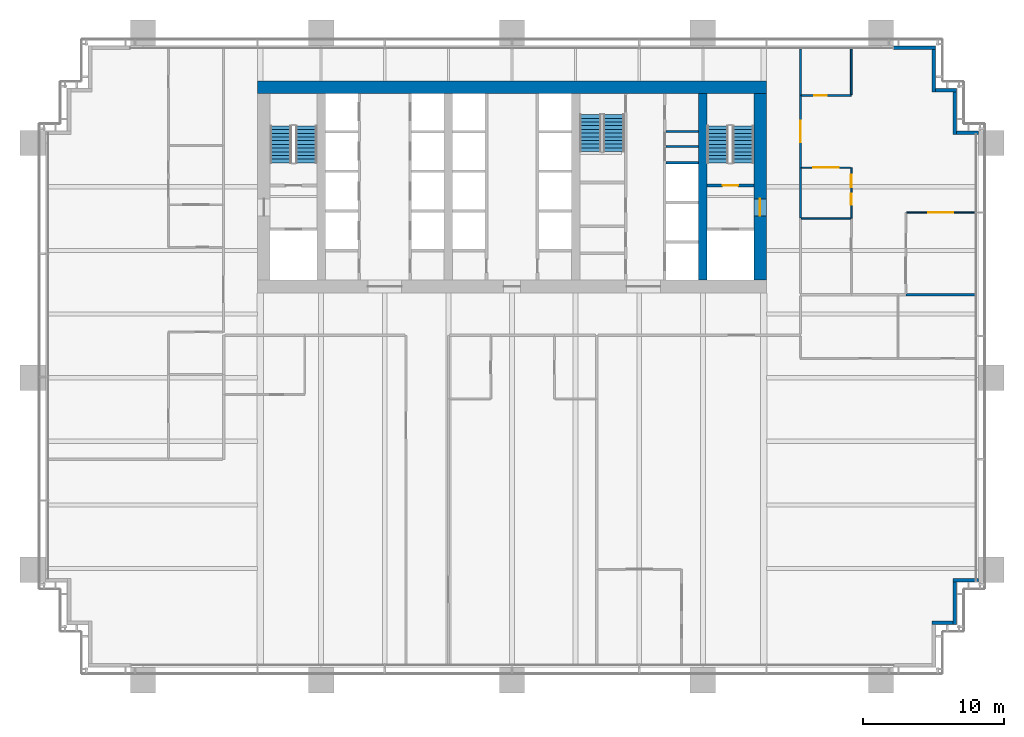
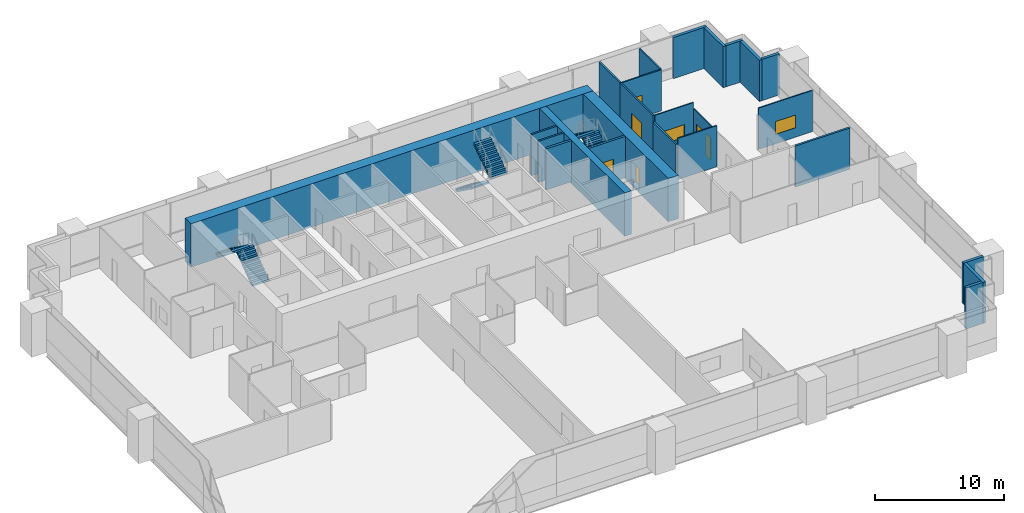
# One storey, part 14 of 19: 25 walls, 6 stair flights, 5 doors, 3 windows, 8 openings, 3 elements without a shape of their own.
"""IFC4 building model written with IfcOpenShell, lengths in metres."""

import ifcopenshell
import ifcopenshell.guid

model = None  # the IFC model being written
_history = None  # IfcOwnerHistory: only IFC2X3 demands one
_inside = {}  # id of a spatial element -> (the spatial element, [elements in it])
_under = {}  # id of a project, library or spatial element -> (it, [spatial elements below it])
_declared = {}  # id of a project -> (the project, [libraries it declares])
_typed = {}  # id of a type object -> (the type object, [elements of that type])
_made_of = {}  # id of a material, layer set ... -> (it, [elements and type objects made of it])


def new_model(schema):
    """Start an empty IFC model of exactly this schema.

    Asked for "IFC4X3", IfcOpenShell would pick the latest addendum, in which some entities
    have other attributes; the version numbers below select the first issue.
    IFC2X3 requires an IfcOwnerHistory on every rooted entity: one is made here for all.
    """
    global model, _history
    if schema == "IFC4X3":
        model = ifcopenshell.file(schema_version=(4, 3, 0, 0))
    else:
        model = ifcopenshell.file(schema=schema)
    _inside.clear()
    _under.clear()
    _declared.clear()
    _typed.clear()
    _made_of.clear()
    _history = None
    if model.schema == "IFC2X3":
        org = make("IfcOrganization", Name="unknown")
        user = make(
            "IfcPersonAndOrganization",
            ThePerson=make("IfcPerson", FamilyName="unknown"),
            TheOrganization=org,
        )
        app = make(
            "IfcApplication",
            ApplicationDeveloper=org,
            Version="unknown",
            ApplicationFullName="unknown",
            ApplicationIdentifier="unknown",
        )
        _history = make(
            "IfcOwnerHistory",
            OwningUser=user,
            OwningApplication=app,
            ChangeAction="ADDED",
            CreationDate=0,
        )
    return model


def make(cls, **values):
    """One entity of the class cls with the attributes given. An attribute that is None is left unset."""
    return model.create_entity(
        cls, **{name: value for name, value in values.items() if value is not None}
    )


def rooted(cls, **values):
    """An entity with a GlobalId (a new one), such as an element, a storey or a relation."""
    return make(cls, GlobalId=ifcopenshell.guid.new(), OwnerHistory=_history, **values)


def si_unit(unit_type, name, prefix=None):
    """IfcSIUnit, for example si_unit("LENGTHUNIT", "METRE", prefix="MILLI")."""
    return make("IfcSIUnit", UnitType=unit_type, Prefix=prefix, Name=name)


def assignment(units):
    """IfcUnitAssignment: the units of a project."""
    return None if units is None else make("IfcUnitAssignment", Units=units)


def point(xyz):
    """IfcCartesianPoint."""
    return None if xyz is None else make("IfcCartesianPoint", Coordinates=xyz)


def direction(xyz):
    """IfcDirection."""
    return None if xyz is None else make("IfcDirection", DirectionRatios=xyz)


def frame(location, z_axis=None, x_axis=None):
    """IfcAxis2Placement3D, a coordinate frame: its origin and axes. An axis left out is left unset."""
    return make(
        "IfcAxis2Placement3D",
        Location=point(location),
        Axis=direction(z_axis),
        RefDirection=direction(x_axis),
    )


def frame_2d(location, x_axis=None):
    """IfcAxis2Placement2D, a coordinate frame in the plane: its origin and x axis."""
    return make(
        "IfcAxis2Placement2D", Location=point(location), RefDirection=direction(x_axis)
    )


def origin():
    """The frame at (0, 0, 0) with its axes left unset."""
    return frame((0.0, 0.0, 0.0))


def place(relative_to, where):
    """IfcLocalPlacement: puts the frame where relative to a parent placement (None: the world)."""
    return make(
        "IfcLocalPlacement", PlacementRelTo=relative_to, RelativePlacement=where
    )


def context(
    kind, dimensions, precision=None, world=None, true_north=None, identifier=None
):
    """IfcGeometricRepresentationContext, for example the 3D "Model" context."""
    return make(
        "IfcGeometricRepresentationContext",
        ContextIdentifier=identifier,
        ContextType=kind,
        CoordinateSpaceDimension=dimensions,
        Precision=precision,
        WorldCoordinateSystem=world,
        TrueNorth=true_north,
    )


def subcontext(parent, identifier, kind, view, scale=None):
    """IfcGeometricRepresentationSubContext, for example "Body" below "Model"."""
    return make(
        "IfcGeometricRepresentationSubContext",
        ContextIdentifier=identifier,
        ContextType=kind,
        ParentContext=parent,
        TargetScale=scale,
        TargetView=view,
    )


def project(units=None, contexts=None):
    """IfcProject with its units and contexts."""
    return rooted(
        "IfcProject",
        Name="project",
        RepresentationContexts=contexts,
        UnitsInContext=assignment(units),
    )


def spatial(cls, under=None, at=None, **own):
    """A site, building, storey or space (cls), placed at a placement, below another one or the project."""
    s = rooted(cls, ObjectPlacement=at, **own)
    if under is not None:
        _under.setdefault(under.id(), (under, []))[1].append(s)
    return s


def polyline(points):
    """IfcPolyline through the points."""
    return make("IfcPolyline", Points=[point(p) for p in points])


def profile(cls, at=None, kind="AREA", **sizes):
    """A parametric profile (cls). Its sizes go by their IFC names, for example OverallWidth=200.0."""
    return make(cls, ProfileType=kind, Position=at, **sizes)


def rectangle(**sizes):
    """IfcRectangleProfileDef."""
    return profile("IfcRectangleProfileDef", **sizes)


def outline(outer, holes=None, kind="AREA"):
    """IfcArbitraryClosedProfileDef: a profile drawn as a closed curve; with holes, ...WithVoids."""
    if holes is None:
        return make("IfcArbitraryClosedProfileDef", ProfileType=kind, OuterCurve=outer)
    return make(
        "IfcArbitraryProfileDefWithVoids",
        ProfileType=kind,
        OuterCurve=outer,
        InnerCurves=holes,
    )


def extrude(swept, where, along, depth):
    """IfcExtrudedAreaSolid: the profile swept, set in the frame where, extruded along a direction by depth."""
    return make(
        "IfcExtrudedAreaSolid",
        SweptArea=swept,
        Position=where,
        ExtrudedDirection=direction(along),
        Depth=depth,
    )


def shape(context_of_items, identifier, shape_type, items):
    """IfcShapeRepresentation: the items that make up one representation, for example the "Body"."""
    return make(
        "IfcShapeRepresentation",
        ContextOfItems=context_of_items,
        RepresentationIdentifier=identifier,
        RepresentationType=shape_type,
        Items=items,
    )


def material(Name=None, Category=None):
    """IfcMaterial."""
    return make("IfcMaterial", Name=Name, Category=Category)


def layer(
    of_material, thickness, ventilated=None, Name=None, Category=None, Priority=None
):
    """IfcMaterialLayer: one layer of a wall or slab, of a material (None: an air gap)."""
    return make(
        "IfcMaterialLayer",
        Material=of_material,
        LayerThickness=thickness,
        IsVentilated=ventilated,
        Name=Name,
        Category=Category,
        Priority=Priority,
    )


def layer_set(layers, Name=None):
    """IfcMaterialLayerSet."""
    return make("IfcMaterialLayerSet", MaterialLayers=layers, LayerSetName=Name)


def made_of(thing, what):
    """Note that an element or type object is made of a material, layer set ...; save() writes the relation."""
    if what is not None:
        _made_of.setdefault(what.id(), (what, []))[1].append(thing)
    return thing


def type_object(cls, material=None, **own):
    """A type object (cls), such as IfcWallType, which elements share."""
    return made_of(rooted(cls, **own), material)


def element(
    cls,
    number,
    at=None,
    inside=None,
    cuts=None,
    type_object=None,
    material=None,
    context=None,
    identifier="Body",
    shape_type=None,
    held_by="IfcProductDefinitionShape",
    body=None,
    shapes=None,
    **own,
):
    """One element of the class cls, such as IfcWall. Its Tag is "e" and its number.

    at: its placement. inside: the storey or other place that contains it. cuts: it is an
    opening in that element (IfcRelVoidsElement). A single representation is given by context,
    identifier, shape_type and body (its items); several are given by shapes. held_by: the class
    of the entity that holds the representations. save() writes the other relations.
    """
    e = rooted(cls, Tag="e%d" % number, ObjectPlacement=at, **own)
    if body is not None:
        shapes = [shape(context, identifier, shape_type, body)]
    if shapes is not None:
        e.Representation = make(held_by, Representations=shapes)
    if inside is not None:
        _inside.setdefault(inside.id(), (inside, []))[1].append(e)
    if cuts is not None:
        rooted(
            "IfcRelVoidsElement", RelatingBuildingElement=cuts, RelatedOpeningElement=e
        )
    if type_object is not None:
        _typed.setdefault(type_object.id(), (type_object, []))[1].append(e)
    return made_of(e, material)


def fill(opening, filler):
    """IfcRelFillsElement: the door or window that sits in an opening."""
    return rooted(
        "IfcRelFillsElement",
        RelatingOpeningElement=opening,
        RelatedBuildingElement=filler,
    )


def aggregate(whole, parts):
    """IfcRelAggregates: a whole, such as a stair, and the parts it consists of."""
    return rooted("IfcRelAggregates", RelatingObject=whole, RelatedObjects=parts)


def save(model, path):
    """Write the relations noted so far, then the file.

    IfcRelAggregates (storeys below a building ...), IfcRelContainedInSpatialStructure (elements
    in a storey), IfcRelDefinesByType, IfcRelAssociatesMaterial and IfcRelDeclares: one each for
    every whole, place, type object, material and project.
    """
    for whole, parts in _under.values():
        aggregate(whole, parts)
    for where, things in _inside.values():
        rooted(
            "IfcRelContainedInSpatialStructure",
            RelatedElements=things,
            RelatingStructure=where,
        )
    for kind, things in _typed.values():
        rooted("IfcRelDefinesByType", RelatedObjects=things, RelatingType=kind)
    for what, things in _made_of.values():
        rooted("IfcRelAssociatesMaterial", RelatedObjects=things, RelatingMaterial=what)
    for by, libraries in _declared.values():
        rooted("IfcRelDeclares", RelatingContext=by, RelatedDefinitions=libraries)
    model.write(path)


model = new_model("IFC4")

# Units and contexts
model_context = context("Model", 3, precision=1e-05, world=origin(), true_north=direction((0.0, 1.0)))
body_context = subcontext(model_context, "Body", "Model", "MODEL_VIEW")
ifc_project = project(units=[si_unit("LENGTHUNIT", "METRE"), si_unit("AREAUNIT", "SQUARE_METRE"), si_unit("VOLUMEUNIT", "CUBIC_METRE"), si_unit("PLANEANGLEUNIT", "RADIAN"), si_unit("MASSUNIT", "GRAM", prefix="KILO")], contexts=[model_context])

# Site, building, storey
site_placement = place(None, origin())
site = spatial("IfcSite", under=ifc_project, at=site_placement, CompositionType="ELEMENT")
building_placement = place(site_placement, origin())
building = spatial("IfcBuilding", under=site, at=building_placement, Name="Rattan Terrace Tower", CompositionType="ELEMENT")
storey_placement = place(building_placement, frame((0.0, 0.0, 52.89990234375)))
storey = spatial("IfcBuildingStorey", under=building, at=storey_placement, Name="L11", CompositionType="ELEMENT", Elevation=52.89990234375)

# Walls
ifc_material_1 = material(Name="Gypsum board partition")
ifc_layer_1 = layer(ifc_material_1, 0.14990234375)
ifc_layer_set_1 = layer_set([ifc_layer_1], Name="Core partition 150")
wall_type_1 = type_object("IfcWallType", Name="Core partition 150", PredefinedType="PARTITIONING", material=ifc_layer_set_1)
for number, where, z_axis, x_axis, name in (
    (1, (10.89990234375, 2.85595703125, 0.0), (0.0, 0.0, 1.0), (1.0, 0.0, 0.0), "Riser room wall"),
    (2, (10.89990234375, 3.912109375, 0.0), (0.0, 0.0, 1.0), (1.0, 0.0, 0.0), "Riser room wall"),
):
    element("IfcWall", number, at=place(storey_placement, frame(where, z_axis=z_axis, x_axis=x_axis)), inside=storey, type_object=wall_type_1, Name=name, PredefinedType="PARTITIONING", context=body_context, shape_type="SweptSolid", body=[
        extrude(rectangle(XDim=2.300048828125, YDim=0.14990234375, at=frame_2d((1.14990234375, 0.0))), origin(), (0.0, 0.0, 1.0), 3.900146484375),
    ])

# Wall, opening, door
ifc_material_2 = material(Name="Gypsum board partition")
ifc_layer_2 = layer(ifc_material_2, 0.199951171875)
ifc_layer_set_2 = layer_set([ifc_layer_2], Name="Core partition 200")
wall_type_2 = type_object("IfcWallType", Name="Core partition 200", PredefinedType="PARTITIONING", material=ifc_layer_set_2)
wall_1_placement = place(storey_placement, frame((13.800048828125, 0.10009765625, 0.0), z_axis=(0.0, 0.0, 1.0), x_axis=(1.0, 0.0, 0.0)))
wall_1 = element("IfcWall", 3, at=wall_1_placement, inside=storey, type_object=wall_type_2, Name="Stair enclosure wall", PredefinedType="PARTITIONING", context=body_context, shape_type="SweptSolid", body=[
    extrude(rectangle(XDim=3.300048828125, YDim=0.199951171875, at=frame_2d((1.64990234375, 0.0))), origin(), (0.0, 0.0, 1.0), 3.900146484375),
])
opening_1_placement = place(wall_1_placement, frame((1.10009765625, 0.0, 0.0)))
opening_1 = element("IfcOpeningElement", 4, at=opening_1_placement, cuts=wall_1, Name="Opening L11-D004", PredefinedType="OPENING", context=body_context, shape_type="SweptSolid", body=[
    extrude(rectangle(XDim=1.10009765625, YDim=2.10009765625, at=frame_2d((0.550048828125, 1.050048828125))), frame((0.0, 0.110595703125, 0.0), z_axis=(0.0, -1.0, 0.0), x_axis=(1.0, 0.0, 0.0)), (0.0, 0.0, 1.0), 0.220947265625),
])
ifc_material_3 = material(Name="Hollow-metal fire door leaf")
door_type_1 = type_object("IfcDoorType", Name="Core stair door 1100", OperationType="NOTDEFINED", PredefinedType="DOOR", material=ifc_material_3)
door_1_placement = place(opening_1_placement, origin())
door_1 = element("IfcDoor", 5, at=door_1_placement, inside=storey, type_object=door_type_1, Name="Door L11-D004", OperationType="SINGLE_SWING_RIGHT", OverallHeight=2.10009765625, OverallWidth=1.10009765625, PredefinedType="DOOR", context=body_context, shape_type="SweptSolid", body=[
    extrude(rectangle(XDim=1.10009765625, YDim=2.10009765625, at=frame_2d((0.550048828125, 1.050048828125))), frame((0.0, 0.02490234375, 0.0), z_axis=(0.0, -1.0, 0.0), x_axis=(1.0, 0.0, 0.0)), (0.0, 0.0, 1.0), 0.050048828125),
])
fill(opening_1, door_1)

# Wall
ifc_material_4 = material(Name="Concrete C70/85", Category="concrete")
ifc_layer_3 = layer(ifc_material_4, 0.89990234375)
ifc_layer_set_3 = layer_set([ifc_layer_3], Name="Core ring wall 900 C70/85")
wall_type_3 = type_object("IfcWallType", Name="Core ring wall 900 C70/85", PredefinedType="SHEAR", material=ifc_layer_set_3)
wall_2_placement = place(storey_placement, frame((-18.0, 7.050048828125, -0.199951171875), z_axis=(0.0, 0.0, 1.0), x_axis=(1.0, 0.0, 0.0)))
element("IfcWall", 6, at=wall_2_placement, inside=storey, type_object=wall_type_3, Name="Rear core wall north", PredefinedType="SHEAR", context=body_context, shape_type="SweptSolid", body=[
    extrude(rectangle(XDim=36.0, YDim=0.89990234375, at=frame_2d((18.0, 0.0))), origin(), (0.0, 0.0, 1.0), 4.10009765625),
])

# Wall, opening, door
wall_3_placement = place(storey_placement, frame((17.550048828125, -6.60009765625, -0.199951171875), z_axis=(0.0, 0.0, 1.0), x_axis=(0.0, 1.0, 0.0)))
wall_3 = element("IfcWall", 7, at=wall_3_placement, inside=storey, type_object=wall_type_3, Name="Rear core wall east", PredefinedType="SHEAR", context=body_context, shape_type="SweptSolid", body=[
    extrude(rectangle(XDim=13.2001953125, YDim=0.89990234375, at=frame_2d((6.60009765625, 0.0))), origin(), (0.0, 0.0, 1.0), 4.10009765625),
])
opening_2_placement = place(wall_3_placement, frame((4.550048828125, 0.0, 0.199951171875)))
opening_2 = element("IfcOpeningElement", 8, at=opening_2_placement, cuts=wall_3, Name="Opening L11-D003", PredefinedType="OPENING", context=body_context, shape_type="SweptSolid", body=[
    extrude(rectangle(XDim=1.199951171875, YDim=2.10009765625, at=frame_2d((0.60009765625, 1.050048828125))), frame((0.0, 0.46044921875, 0.0), z_axis=(0.0, -1.0, 0.0), x_axis=(1.0, 0.0, 0.0)), (0.0, 0.0, 1.0), 0.9208984375),
])
ifc_material_5 = material(Name="Hollow-metal fire door leaf")
door_type_2 = type_object("IfcDoorType", Name="Core fire-fighting lobby door 1200", OperationType="NOTDEFINED", PredefinedType="DOOR", material=ifc_material_5)
door_2_placement = place(opening_2_placement, origin())
door_2 = element("IfcDoor", 9, at=door_2_placement, inside=storey, type_object=door_type_2, Name="Door L11-D003", OperationType="SINGLE_SWING_LEFT", OverallHeight=2.10009765625, OverallWidth=1.199951171875, PredefinedType="DOOR", context=body_context, shape_type="SweptSolid", body=[
    extrude(rectangle(XDim=1.199951171875, YDim=2.10009765625, at=frame_2d((0.60009765625, 1.050048828125))), frame((0.0, 0.02490234375, 0.0), z_axis=(0.0, -1.0, 0.0), x_axis=(1.0, 0.0, 0.0)), (0.0, 0.0, 1.0), 0.050048828125),
])
fill(opening_2, door_2)

# Walls
ifc_material_6 = material(Name="Concrete C70/85", Category="concrete")
ifc_layer_4 = layer(ifc_material_6, 0.60009765625)
ifc_layer_set_4 = layer_set([ifc_layer_4], Name="Core spine wall 600 C70/85")
wall_type_4 = type_object("IfcWallType", Name="Core spine wall 600 C70/85", PredefinedType="SHEAR", material=ifc_layer_set_4)
wall_4_placement = place(storey_placement, frame((13.5, -6.60009765625, -0.199951171875), z_axis=(0.0, 0.0, 1.0), x_axis=(0.0, 1.0, 0.0)))
element("IfcWall", 10, at=wall_4_placement, inside=storey, type_object=wall_type_4, Name="Core spine wall 4", PredefinedType="SHEAR", context=body_context, shape_type="SweptSolid", body=[
    extrude(rectangle(XDim=13.2001953125, YDim=0.60009765625, at=frame_2d((6.60009765625, 0.0))), origin(), (0.0, 0.0, 1.0), 4.10009765625),
])
ifc_material_7 = material(Name="Insulated aluminium-clad stud wall", Category="aluminium")
ifc_layer_5 = layer(ifc_material_7, 0.25)
ifc_layer_set_5 = layer_set([ifc_layer_5], Name="Facade Riser Wall 250")
wall_type_5 = type_object("IfcWallType", Name="Facade Riser Wall 250", PredefinedType="SOLIDWALL", material=ifc_layer_set_5)
wall_5_placement = place(storey_placement, frame((29.705078125, -30.830078125, 0.0), z_axis=(0.0, 0.0, 1.0), x_axis=(1.0, 0.0, 0.0)))
element("IfcWall", 11, at=wall_5_placement, inside=storey, type_object=wall_type_5, Name="Riser wall L11-3", PredefinedType="SOLIDWALL", context=body_context, shape_type="SweptSolid", body=[
    extrude(rectangle(XDim=1.5, YDim=0.25, at=frame_2d((0.75, 0.0))), origin(), (0.0, 0.0, 1.0), 3.900146484375),
])
wall_6_placement = place(storey_placement, frame((31.330078125, -30.955078125, 0.0), z_axis=(0.0, 0.0, 1.0), x_axis=(0.0, 1.0, 0.0)))
element("IfcWall", 12, at=wall_6_placement, inside=storey, type_object=wall_type_5, Name="Riser wall L11-4", PredefinedType="SOLIDWALL", context=body_context, shape_type="SweptSolid", body=[
    extrude(rectangle(XDim=3.0, YDim=0.25, at=frame_2d((1.5, 0.0))), origin(), (0.0, 0.0, 1.0), 3.900146484375),
])
wall_7_placement = place(storey_placement, frame((31.205078125, -27.830078125, 0.0), z_axis=(0.0, 0.0, 1.0), x_axis=(1.0, 0.0, 0.0)))
element("IfcWall", 13, at=wall_7_placement, inside=storey, type_object=wall_type_5, Name="Riser wall L11-5", PredefinedType="SOLIDWALL", context=body_context, shape_type="SweptSolid", body=[
    extrude(rectangle(XDim=1.7998046875, YDim=0.25, at=frame_2d((0.89990234375, 0.0))), origin(), (0.0, 0.0, 1.0), 3.900146484375),
])
wall_8_placement = place(storey_placement, frame((33.0048828125, 3.830078125, 0.0), z_axis=(0.0, 0.0, 1.0), x_axis=(-1.0, 0.0, 0.0)))
element("IfcWall", 14, at=wall_8_placement, inside=storey, type_object=wall_type_5, Name="Riser wall L11-6", PredefinedType="SOLIDWALL", context=body_context, shape_type="SweptSolid", body=[
    extrude(rectangle(XDim=1.5498046875, YDim=0.25, at=frame_2d((0.77490234375, 0.0))), origin(), (0.0, 0.0, 1.0), 3.900146484375),
])
wall_9_placement = place(storey_placement, frame((31.330078125, 3.705078125, 0.0), z_axis=(0.0, 0.0, 1.0), x_axis=(0.0, 1.0, 0.0)))
element("IfcWall", 15, at=wall_9_placement, inside=storey, type_object=wall_type_5, Name="Riser wall L11-7", PredefinedType="SOLIDWALL", context=body_context, shape_type="SweptSolid", body=[
    extrude(rectangle(XDim=3.0, YDim=0.25, at=frame_2d((1.5, 0.0))), origin(), (0.0, 0.0, 1.0), 3.900146484375),
])
wall_10_placement = place(storey_placement, frame((31.455078125, 6.830078125, 0.0), z_axis=(0.0, 0.0, 1.0), x_axis=(-1.0, 0.0, 0.0)))
element("IfcWall", 16, at=wall_10_placement, inside=storey, type_object=wall_type_5, Name="Riser wall L11-8", PredefinedType="SOLIDWALL", context=body_context, shape_type="SweptSolid", body=[
    extrude(rectangle(XDim=1.5, YDim=0.25, at=frame_2d((0.75, 0.0))), origin(), (0.0, 0.0, 1.0), 3.900146484375),
])
wall_11_placement = place(storey_placement, frame((29.830078125, 6.705078125, 0.0), z_axis=(0.0, 0.0, 1.0), x_axis=(0.0, 1.0, 0.0)))
element("IfcWall", 17, at=wall_11_placement, inside=storey, type_object=wall_type_5, Name="Riser wall L11-9", PredefinedType="SOLIDWALL", context=body_context, shape_type="SweptSolid", body=[
    extrude(rectangle(XDim=3.0, YDim=0.25, at=frame_2d((1.5, 0.0))), origin(), (0.0, 0.0, 1.0), 3.900146484375),
])
wall_12_placement = place(storey_placement, frame((29.955078125, 9.830078125, 0.0), z_axis=(0.0, 0.0, 1.0), x_axis=(-1.0, 0.0, 0.0)))
element("IfcWall", 18, at=wall_12_placement, inside=storey, type_object=wall_type_5, Name="Riser wall L11-10", PredefinedType="SOLIDWALL", context=body_context, shape_type="SweptSolid", body=[
    extrude(rectangle(XDim=2.955078125, YDim=0.25, at=frame_2d((1.4775390625, 0.0))), origin(), (0.0, 0.0, 1.0), 3.900146484375),
])
ifc_material_8 = material(Name="Double steel stud acoustic partition, gypsum board, mineral wool, fire rated", Category="steel")
ifc_layer_6 = layer(ifc_material_8, 0.179931640625)
ifc_layer_set_6 = layer_set([ifc_layer_6], Name="Floors Acoustic Party Wall 180")
wall_type_6 = type_object("IfcWallType", Name="Floors Acoustic Party Wall 180", PredefinedType="PARTITIONING", material=ifc_layer_set_6)
wall_13_placement = place(storey_placement, frame((32.739990234375, -7.635986328125, 0.0), z_axis=(0.0, 0.0, 1.0), x_axis=(-1.0, 0.0, 0.0)))
element("IfcWall", 19, at=wall_13_placement, inside=storey, type_object=wall_type_6, Name="pt-L11-043", PredefinedType="PARTITIONING", context=body_context, shape_type="SweptSolid", body=[
    extrude(rectangle(XDim=4.8798828125, YDim=0.179931640625, at=frame_2d((2.43994140625, 0.0))), origin(), (0.0, 0.0, 1.0), 3.900146484375),
])

# Wall, opening, window
ifc_material_9 = material(Name="Gypsum board partition on steel studs", Category="steel")
ifc_layer_7 = layer(ifc_material_9, 0.10009765625)
ifc_layer_set_7 = layer_set([ifc_layer_7], Name="Floors Partition 100")
wall_type_7 = type_object("IfcWallType", Name="Floors Partition 100", PredefinedType="PARTITIONING", material=ifc_layer_set_7)
wall_14_placement = place(storey_placement, frame((32.739990234375, -1.818115234375, 0.0), z_axis=(0.0, 0.0, 1.0), x_axis=(-1.0, 0.0, 0.0)))
wall_14 = element("IfcWall", 20, at=wall_14_placement, inside=storey, type_object=wall_type_7, Name="pt-L11-035", PredefinedType="PARTITIONING", context=body_context, shape_type="SweptSolid", body=[
    extrude(rectangle(XDim=4.830078125, YDim=0.10009765625, at=frame_2d((2.4150390625, 0.0))), origin(), (0.0, 0.0, 1.0), 3.900146484375),
])
opening_3_placement = place(wall_14_placement, frame((1.514892578125, 0.0, 0.89990234375)))
opening_3 = element("IfcOpeningElement", 21, at=opening_3_placement, cuts=wall_14, Name="Opening L11-W103", PredefinedType="OPENING", context=body_context, shape_type="SweptSolid", body=[
    extrude(rectangle(XDim=1.800048828125, YDim=1.199951171875, at=frame_2d((0.89990234375, 0.60009765625))), frame((0.0, 0.060546875, 0.0), z_axis=(0.0, -1.0, 0.0), x_axis=(1.0, 0.0, 0.0)), (0.0, 0.0, 1.0), 0.12109375),
])
ifc_material_10 = material(Name="Glass, clear, fixed in aluminium frame", Category="aluminium")
window_type_1 = type_object("IfcWindowType", Name="Interior Vision Window 1800x1200", PartitioningType="SINGLE_PANEL", PredefinedType="WINDOW", material=ifc_material_10)
window_1_placement = place(opening_3_placement, origin())
window_1 = element("IfcWindow", 22, at=window_1_placement, inside=storey, type_object=window_type_1, Name="w-L11-103", OverallHeight=1.199951171875, OverallWidth=1.800048828125, PartitioningType="SINGLE_PANEL", PredefinedType="WINDOW", context=body_context, shape_type="SweptSolid", body=[
    extrude(rectangle(XDim=1.800048828125, YDim=1.199951171875, at=frame_2d((0.89990234375, 0.60009765625))), frame((0.0, 0.030029296875, 0.0), z_axis=(0.0, -1.0, 0.0), x_axis=(1.0, 0.0, 0.0)), (0.0, 0.0, 1.0), 0.06005859375),
])
fill(opening_3, window_1)

wall_15_placement = place(storey_placement, frame((23.949951171875, 1.364013671875, 0.0), z_axis=(0.0, 0.0, 1.0), x_axis=(-1.0, 0.0, 0.0)))
wall_15 = element("IfcWall", 23, at=wall_15_placement, inside=storey, type_object=wall_type_7, Name="pt-L11-037", PredefinedType="PARTITIONING", context=body_context, shape_type="SweptSolid", body=[
    extrude(rectangle(XDim=3.474853515625, YDim=0.10009765625, at=frame_2d((1.7373046875, 0.0))), origin(), (0.0, 0.0, 1.0), 3.900146484375),
])
opening_4_placement = place(wall_15_placement, frame((0.8369140625, 0.0, 0.89990234375)))
opening_4 = element("IfcOpeningElement", 24, at=opening_4_placement, cuts=wall_15, Name="Opening L11-W104", PredefinedType="OPENING", context=body_context, shape_type="SweptSolid", body=[
    extrude(rectangle(XDim=1.800048828125, YDim=1.199951171875, at=frame_2d((0.89990234375, 0.60009765625))), frame((0.0, 0.060546875, 0.0), z_axis=(0.0, -1.0, 0.0), x_axis=(1.0, 0.0, 0.0)), (0.0, 0.0, 1.0), 0.12109375),
])
window_2_placement = place(opening_4_placement, origin())
window_2 = element("IfcWindow", 25, at=window_2_placement, inside=storey, type_object=window_type_1, Name="w-L11-104", OverallHeight=1.199951171875, OverallWidth=1.800048828125, PartitioningType="SINGLE_PANEL", PredefinedType="WINDOW", context=body_context, shape_type="SweptSolid", body=[
    extrude(rectangle(XDim=1.800048828125, YDim=1.199951171875, at=frame_2d((0.89990234375, 0.60009765625))), frame((0.0, 0.030029296875, 0.0), z_axis=(0.0, -1.0, 0.0), x_axis=(1.0, 0.0, 0.0)), (0.0, 0.0, 1.0), 0.06005859375),
])
fill(opening_4, window_2)

# Wall, openings, door, window
wall_16_placement = place(storey_placement, frame((24.0, -2.216064453125, 0.0), z_axis=(0.0, 0.0, 1.0), x_axis=(0.0, 1.0, 0.0)))
wall_16 = element("IfcWall", 26, at=wall_16_placement, inside=storey, type_object=wall_type_7, Name="pt-L11-038", PredefinedType="PARTITIONING", context=body_context, shape_type="SweptSolid", body=[
    extrude(rectangle(XDim=3.580078125, YDim=0.10009765625, at=frame_2d((1.7900390625, 0.0))), origin(), (0.0, 0.0, 1.0), 3.300048828125),
])
opening_5_placement = place(wall_16_placement, frame((0.93408203125, 0.0, 0.0)))
opening_5 = element("IfcOpeningElement", 27, at=opening_5_placement, cuts=wall_16, Name="Opening L11-D109", PredefinedType="OPENING", context=body_context, shape_type="SweptSolid", body=[
    extrude(rectangle(XDim=0.800048828125, YDim=2.10009765625, at=frame_2d((0.39990234375, 1.050048828125))), frame((0.0, 0.060546875, 0.0), z_axis=(0.0, -1.0, 0.0), x_axis=(1.0, 0.0, 0.0)), (0.0, 0.0, 1.0), 0.12109375),
])
opening_6_placement = place(wall_16_placement, frame((2.181884765625, 0.0, 0.89990234375)))
opening_6 = element("IfcOpeningElement", 28, at=opening_6_placement, cuts=wall_16, Name="Opening L11-W105", PredefinedType="OPENING", context=body_context, shape_type="SweptSolid", body=[
    extrude(rectangle(XDim=0.89990234375, YDim=1.199951171875, at=frame_2d((0.449951171875, 0.60009765625))), frame((0.0, 0.060546875, 0.0), z_axis=(0.0, -1.0, 0.0), x_axis=(1.0, 0.0, 0.0)), (0.0, 0.0, 1.0), 0.12109375),
])
ifc_material_11 = material(Name="Solid core timber door, painted", Category="wood")
door_type_3 = type_object("IfcDoorType", Name="Floors Store Door 800x2100", OperationType="NOTDEFINED", PredefinedType="DOOR", material=ifc_material_11)
door_3_placement = place(opening_5_placement, origin())
door_3 = element("IfcDoor", 29, at=door_3_placement, inside=storey, type_object=door_type_3, Name="d-L11-109", OperationType="SINGLE_SWING_LEFT", OverallHeight=2.10009765625, OverallWidth=0.800048828125, PredefinedType="DOOR", context=body_context, shape_type="SweptSolid", body=[
    extrude(rectangle(XDim=0.800048828125, YDim=2.10009765625, at=frame_2d((0.39990234375, 1.050048828125))), frame((0.0, 0.02490234375, 0.0), z_axis=(0.0, -1.0, 0.0), x_axis=(1.0, 0.0, 0.0)), (0.0, 0.0, 1.0), 0.050048828125),
])
fill(opening_5, door_3)
ifc_material_12 = material(Name="Glass, clear, fixed in aluminium frame", Category="aluminium")
window_type_2 = type_object("IfcWindowType", Name="Interior Vision Window 900x1200", PartitioningType="SINGLE_PANEL", PredefinedType="WINDOW", material=ifc_material_12)
window_3_placement = place(opening_6_placement, origin())
window_3 = element("IfcWindow", 30, at=window_3_placement, inside=storey, type_object=window_type_2, Name="w-L11-105", OverallHeight=1.199951171875, OverallWidth=0.89990234375, PartitioningType="SINGLE_PANEL", PredefinedType="WINDOW", context=body_context, shape_type="SweptSolid", body=[
    extrude(rectangle(XDim=0.89990234375, YDim=1.199951171875, at=frame_2d((0.449951171875, 0.60009765625))), frame((0.0, 0.030029296875, 0.0), z_axis=(0.0, -1.0, 0.0), x_axis=(1.0, 0.0, 0.0)), (0.0, 0.0, 1.0), 0.06005859375),
])
fill(opening_6, window_3)

# Wall
wall_17_placement = place(storey_placement, frame((20.47509765625, -2.236083984375, 0.0), z_axis=(0.0, 0.0, 1.0), x_axis=(1.0, 0.0, 0.0)))
element("IfcWall", 31, at=wall_17_placement, inside=storey, type_object=wall_type_7, Name="pt-L11-044", PredefinedType="PARTITIONING", context=body_context, shape_type="SweptSolid", body=[
    extrude(rectangle(XDim=3.474853515625, YDim=0.10009765625, at=frame_2d((1.7373046875, 0.0))), origin(), (0.0, 0.0, 1.0), 3.900146484375),
])

# Wall, opening, door
ifc_material_13 = material(Name="Gypsum board partition on steel studs, fire rated", Category="steel")
ifc_layer_8 = layer(ifc_material_13, 0.14990234375)
ifc_layer_set_8 = layer_set([ifc_layer_8], Name="Floors Tenancy Wall 150")
wall_type_8 = type_object("IfcWallType", Name="Floors Tenancy Wall 150", PredefinedType="PARTITIONING", material=ifc_layer_set_8)
wall_18_placement = place(storey_placement, frame((20.39990234375, 6.48388671875, 0.0), z_axis=(0.0, 0.0, 1.0), x_axis=(0.0, -1.0, 0.0)))
wall_18 = element("IfcWall", 32, at=wall_18_placement, inside=storey, type_object=wall_type_8, Name="pt-L11-005", PredefinedType="PARTITIONING", context=body_context, shape_type="SweptSolid", body=[
    extrude(rectangle(XDim=5.139892578125, YDim=0.14990234375, at=frame_2d((2.56982421875, 0.0))), origin(), (0.0, 0.0, 1.0), 3.900146484375),
])
opening_7_placement = place(wall_18_placement, frame((1.820068359375, 0.0, 0.0)))
opening_7 = element("IfcOpeningElement", 33, at=opening_7_placement, cuts=wall_18, Name="Opening L11-D106", PredefinedType="OPENING", context=body_context, shape_type="SweptSolid", body=[
    extrude(rectangle(XDim=1.5, YDim=2.10009765625, at=frame_2d((0.75, 1.050048828125))), frame((0.0, 0.08544921875, 0.0), z_axis=(0.0, -1.0, 0.0), x_axis=(1.0, 0.0, 0.0)), (0.0, 0.0, 1.0), 0.1708984375),
])
ifc_material_14 = material(Name="Steel fire door set", Category="steel")
door_type_4 = type_object("IfcDoorType", Name="Floors Unit Door Pair FD30S 1500x2100", OperationType="NOTDEFINED", PredefinedType="DOOR", material=ifc_material_14)
door_4_placement = place(opening_7_placement, origin())
door_4 = element("IfcDoor", 34, at=door_4_placement, inside=storey, type_object=door_type_4, Name="d-L11-106", OperationType="DOUBLE_DOOR_SINGLE_SWING", OverallHeight=2.10009765625, OverallWidth=1.5, PredefinedType="DOOR", context=body_context, shape_type="SweptSolid", body=[
    extrude(rectangle(XDim=1.5, YDim=2.10009765625, at=frame_2d((0.75, 1.050048828125))), frame((0.0, 0.02490234375, 0.0), z_axis=(0.0, -1.0, 0.0), x_axis=(1.0, 0.0, 0.0)), (0.0, 0.0, 1.0), 0.050048828125),
])
fill(opening_7, door_4)

# Walls
wall_19_placement = place(storey_placement, frame((20.39990234375, 1.343994140625, 0.0), z_axis=(0.0, 0.0, 1.0), x_axis=(0.0, -1.0, 0.0)))
element("IfcWall", 35, at=wall_19_placement, inside=storey, type_object=wall_type_8, Name="pt-L11-007", PredefinedType="PARTITIONING", context=body_context, shape_type="SweptSolid", body=[
    extrude(rectangle(XDim=3.56005859375, YDim=0.14990234375, at=frame_2d((1.780029296875, 0.0))), origin(), (0.0, 0.0, 1.0), 3.300048828125),
])
wall_20_placement = place(storey_placement, frame((20.39990234375, 9.739990234375, 0.0), z_axis=(0.0, 0.0, 1.0), x_axis=(0.0, -1.0, 0.0)))
element("IfcWall", 36, at=wall_20_placement, inside=storey, type_object=wall_type_8, Name="pt-L11-008", PredefinedType="PARTITIONING", context=body_context, shape_type="SweptSolid", body=[
    extrude(rectangle(XDim=3.256103515625, YDim=0.14990234375, at=frame_2d((1.6279296875, 0.0))), origin(), (0.0, 0.0, 1.0), 3.900146484375),
])

# Wall, opening, door
ifc_material_15 = material(Name="Moisture resistant gypsum board partition on steel studs with service cavity", Category="steel")
ifc_layer_9 = layer(ifc_material_15, 0.1201171875)
ifc_layer_set_9 = layer_set([ifc_layer_9], Name="Floors Wet Wall 120")
wall_type_9 = type_object("IfcWallType", Name="Floors Wet Wall 120", PredefinedType="PARTITIONING", material=ifc_layer_set_9)
wall_21_placement = place(storey_placement, frame((20.47509765625, 6.464111328125, 0.0), z_axis=(0.0, 0.0, 1.0), x_axis=(1.0, 0.0, 0.0)))
wall_21 = element("IfcWall", 37, at=wall_21_placement, inside=storey, type_object=wall_type_9, Name="pt-L11-039", PredefinedType="PARTITIONING", context=body_context, shape_type="SweptSolid", body=[
    extrude(rectangle(XDim=3.52490234375, YDim=0.1201171875, at=frame_2d((1.762451171875, 0.0))), origin(), (0.0, 0.0, 1.0), 3.900146484375),
])
opening_8_placement = place(wall_21_placement, frame((0.886962890625, 0.0, 0.0)))
opening_8 = element("IfcOpeningElement", 38, at=opening_8_placement, cuts=wall_21, Name="Opening L11-D110", PredefinedType="OPENING", context=body_context, shape_type="SweptSolid", body=[
    extrude(rectangle(XDim=0.89990234375, YDim=2.10009765625, at=frame_2d((0.449951171875, 1.050048828125))), frame((0.0, 0.070556640625, 0.0), z_axis=(0.0, -1.0, 0.0), x_axis=(1.0, 0.0, 0.0)), (0.0, 0.0, 1.0), 0.14111328125),
])
ifc_material_16 = material(Name="Solid core timber door, painted", Category="wood")
door_type_5 = type_object("IfcDoorType", Name="Floors Door 900x2100", OperationType="NOTDEFINED", PredefinedType="DOOR", material=ifc_material_16)
door_5_placement = place(opening_8_placement, origin())
door_5 = element("IfcDoor", 39, at=door_5_placement, inside=storey, type_object=door_type_5, Name="d-L11-110", OperationType="SINGLE_SWING_LEFT", OverallHeight=2.10009765625, OverallWidth=0.89990234375, PredefinedType="DOOR", context=body_context, shape_type="SweptSolid", body=[
    extrude(rectangle(XDim=0.89990234375, YDim=2.10009765625, at=frame_2d((0.449951171875, 1.050048828125))), frame((0.0, 0.02490234375, 0.0), z_axis=(0.0, -1.0, 0.0), x_axis=(1.0, 0.0, 0.0)), (0.0, 0.0, 1.0), 0.050048828125),
])
fill(opening_8, door_5)

# Walls
wall_22_placement = place(storey_placement, frame((24.0, 6.52392578125, 0.0), z_axis=(0.0, 0.0, 1.0), x_axis=(0.0, 1.0, 0.0)))
element("IfcWall", 40, at=wall_22_placement, inside=storey, type_object=wall_type_9, Name="pt-L11-040", PredefinedType="PARTITIONING", context=body_context, shape_type="SweptSolid", body=[
    extrude(rectangle(XDim=3.216064453125, YDim=0.1201171875, at=frame_2d((1.60791015625, 0.0))), origin(), (0.0, 0.0, 1.0), 3.900146484375),
])
ifc_material_17 = material(Name="Gypsum shaft wall system")
ifc_layer_10 = layer(ifc_material_17, 0.199951171875)
ifc_layer_set_10 = layer_set([ifc_layer_10], Name="Lift shaft wall 200")
wall_type_10 = type_object("IfcWallType", Name="Lift shaft wall 200", PredefinedType="PARTITIONING", material=ifc_layer_set_10)
wall_23_placement = place(storey_placement, frame((10.89990234375, 1.699951171875, 0.0), z_axis=(0.0, 0.0, 1.0), x_axis=(1.0, 0.0, 0.0)))
element("IfcWall", 41, at=wall_23_placement, inside=storey, type_object=wall_type_10, Name="Lift shaft wall", PredefinedType="PARTITIONING", context=body_context, shape_type="SweptSolid", body=[
    extrude(rectangle(XDim=2.300048828125, YDim=0.199951171875, at=frame_2d((1.14990234375, 0.0))), origin(), (0.0, 0.0, 1.0), 3.900146484375),
])

# Stair, stair flights
ifc_material_18 = material(Name="Concrete C40/50", Category="concrete")
stair_type = type_object("IfcStairType", Name="Core exit stair 1500", PredefinedType="HALF_TURN_STAIR", material=ifc_material_18)
stair_1_placement = place(storey_placement, origin())
stair_1 = element("IfcStair", 42, at=stair_1_placement, inside=storey, type_object=stair_type, Name="L11 exit stair 1", PredefinedType="HALF_TURN_STAIR")
ifc_material_19 = material(Name="Concrete C40/50", Category="concrete")
stair_flight_type = type_object("IfcStairFlightType", Name="Core exit stair flight 1500", PredefinedType="STRAIGHT", material=ifc_material_19)
stair_flight_1_placement = place(storey_placement, frame((-14.550048828125, 1.699951171875, 0.0), z_axis=(0.0, 0.0, 1.0), x_axis=(0.0, 1.0, 0.0)))
stair_flight_1 = element("IfcStairFlight", 43, at=stair_flight_1_placement, type_object=stair_flight_type, Name="S1 flight 1", NumberOfRisers=11, NumberOfTreads=10, PredefinedType="STRAIGHT", RiserHeight=0.186363636, TreadLength=0.26, context=body_context, shape_type="SweptSolid", body=[
    extrude(outline(polyline([(0.0, 0.0), (0.0, 0.186279296875), (0.260009765625, 0.186279296875), (0.260009765625, 0.372802734375), (0.52001953125, 0.372802734375), (0.52001953125, 0.55908203125), (0.780029296875, 0.55908203125), (0.780029296875, 0.745361328125), (1.0400390625, 0.745361328125), (1.0400390625, 0.931884765625), (1.300048828125, 0.931884765625), (1.300048828125, 1.1181640625), (1.56005859375, 1.1181640625), (1.56005859375, 1.304443359375), (1.820068359375, 1.304443359375), (1.820068359375, 1.490966796875), (2.080078125, 1.490966796875), (2.080078125, 1.67724609375), (2.340087890625, 1.67724609375), (2.340087890625, 1.863525390625), (2.60009765625, 1.863525390625), (2.60009765625, 2.050048828125), (2.60009765625, 1.67919921875), (0.25732421875, 0.0), (0.0, 0.0)])), frame((0.0, 0.75, 0.0), z_axis=(0.0, -1.0, 0.0), x_axis=(1.0, 0.0, 0.0)), (0.0, 0.0, 1.0), 1.5),
])
stair_flight_2_placement = place(storey_placement, frame((-16.35009765625, 4.300048828125, 2.050048828125), z_axis=(0.0, 0.0, 1.0), x_axis=(0.0, -1.0, 0.0)))
stair_flight_2 = element("IfcStairFlight", 44, at=stair_flight_2_placement, type_object=stair_flight_type, Name="S1 flight 2", NumberOfRisers=11, NumberOfTreads=10, PredefinedType="STRAIGHT", RiserHeight=0.186363636, TreadLength=0.26, context=body_context, shape_type="SweptSolid", body=[
    extrude(outline(polyline([(0.0, 0.0), (0.0, 0.186279296875), (0.260009765625, 0.186279296875), (0.260009765625, 0.372802734375), (0.52001953125, 0.372802734375), (0.52001953125, 0.55908203125), (0.780029296875, 0.55908203125), (0.780029296875, 0.745361328125), (1.0400390625, 0.745361328125), (1.0400390625, 0.931884765625), (1.300048828125, 0.931884765625), (1.300048828125, 1.1181640625), (1.56005859375, 1.1181640625), (1.56005859375, 1.304443359375), (1.820068359375, 1.304443359375), (1.820068359375, 1.490966796875), (2.080078125, 1.490966796875), (2.080078125, 1.67724609375), (2.340087890625, 1.67724609375), (2.340087890625, 1.863525390625), (2.60009765625, 1.863525390625), (2.60009765625, 2.050048828125), (2.60009765625, 1.67919921875), (0.25732421875, 0.0), (0.0, 0.0)])), frame((0.0, 0.75, 0.0), z_axis=(0.0, -1.0, 0.0), x_axis=(1.0, 0.0, 0.0)), (0.0, 0.0, 1.0), 1.5),
])
aggregate(stair_1, [stair_flight_1, stair_flight_2])

stair_2_placement = place(storey_placement, origin())
stair_2 = element("IfcStair", 45, at=stair_2_placement, inside=storey, type_object=stair_type, Name="L11 exit stair 2", PredefinedType="HALF_TURN_STAIR")
stair_flight_3_placement = place(storey_placement, frame((16.35009765625, 1.699951171875, 0.0), z_axis=(0.0, 0.0, 1.0), x_axis=(0.0, 1.0, 0.0)))
stair_flight_3 = element("IfcStairFlight", 46, at=stair_flight_3_placement, type_object=stair_flight_type, Name="S2 flight 1", NumberOfRisers=11, NumberOfTreads=10, PredefinedType="STRAIGHT", RiserHeight=0.186363636, TreadLength=0.26, context=body_context, shape_type="SweptSolid", body=[
    extrude(outline(polyline([(0.0, 0.0), (0.0, 0.186279296875), (0.260009765625, 0.186279296875), (0.260009765625, 0.372802734375), (0.52001953125, 0.372802734375), (0.52001953125, 0.55908203125), (0.780029296875, 0.55908203125), (0.780029296875, 0.745361328125), (1.0400390625, 0.745361328125), (1.0400390625, 0.931884765625), (1.300048828125, 0.931884765625), (1.300048828125, 1.1181640625), (1.56005859375, 1.1181640625), (1.56005859375, 1.304443359375), (1.820068359375, 1.304443359375), (1.820068359375, 1.490966796875), (2.080078125, 1.490966796875), (2.080078125, 1.67724609375), (2.340087890625, 1.67724609375), (2.340087890625, 1.863525390625), (2.60009765625, 1.863525390625), (2.60009765625, 2.050048828125), (2.60009765625, 1.67919921875), (0.25732421875, 0.0), (0.0, 0.0)])), frame((0.0, 0.75, 0.0), z_axis=(0.0, -1.0, 0.0), x_axis=(1.0, 0.0, 0.0)), (0.0, 0.0, 1.0), 1.5),
])
stair_flight_4_placement = place(storey_placement, frame((14.550048828125, 4.300048828125, 2.050048828125), z_axis=(0.0, 0.0, 1.0), x_axis=(0.0, -1.0, 0.0)))
stair_flight_4 = element("IfcStairFlight", 47, at=stair_flight_4_placement, type_object=stair_flight_type, Name="S2 flight 2", NumberOfRisers=11, NumberOfTreads=10, PredefinedType="STRAIGHT", RiserHeight=0.186363636, TreadLength=0.26, context=body_context, shape_type="SweptSolid", body=[
    extrude(outline(polyline([(0.0, 0.0), (0.0, 0.186279296875), (0.260009765625, 0.186279296875), (0.260009765625, 0.372802734375), (0.52001953125, 0.372802734375), (0.52001953125, 0.55908203125), (0.780029296875, 0.55908203125), (0.780029296875, 0.745361328125), (1.0400390625, 0.745361328125), (1.0400390625, 0.931884765625), (1.300048828125, 0.931884765625), (1.300048828125, 1.1181640625), (1.56005859375, 1.1181640625), (1.56005859375, 1.304443359375), (1.820068359375, 1.304443359375), (1.820068359375, 1.490966796875), (2.080078125, 1.490966796875), (2.080078125, 1.67724609375), (2.340087890625, 1.67724609375), (2.340087890625, 1.863525390625), (2.60009765625, 1.863525390625), (2.60009765625, 2.050048828125), (2.60009765625, 1.67919921875), (0.25732421875, 0.0), (0.0, 0.0)])), frame((0.0, 0.75, 0.0), z_axis=(0.0, -1.0, 0.0), x_axis=(1.0, 0.0, 0.0)), (0.0, 0.0, 1.0), 1.5),
])
aggregate(stair_2, [stair_flight_3, stair_flight_4])

stair_3_placement = place(storey_placement, origin())
stair_3 = element("IfcStair", 48, at=stair_3_placement, inside=storey, type_object=stair_type, Name="L11 exit stair 3", PredefinedType="HALF_TURN_STAIR")
stair_flight_5_placement = place(storey_placement, frame((5.550048828125, 5.10009765625, 0.0), z_axis=(0.0, 0.0, 1.0), x_axis=(0.0, -1.0, 0.0)))
stair_flight_5 = element("IfcStairFlight", 49, at=stair_flight_5_placement, type_object=stair_flight_type, Name="S3 flight 1", NumberOfRisers=11, NumberOfTreads=10, PredefinedType="STRAIGHT", RiserHeight=0.186363636, TreadLength=0.26, context=body_context, shape_type="SweptSolid", body=[
    extrude(outline(polyline([(0.0, 0.0), (0.0, 0.186279296875), (0.260009765625, 0.186279296875), (0.260009765625, 0.372802734375), (0.52001953125, 0.372802734375), (0.52001953125, 0.55908203125), (0.780029296875, 0.55908203125), (0.780029296875, 0.745361328125), (1.0400390625, 0.745361328125), (1.0400390625, 0.931884765625), (1.300048828125, 0.931884765625), (1.300048828125, 1.1181640625), (1.56005859375, 1.1181640625), (1.56005859375, 1.304443359375), (1.820068359375, 1.304443359375), (1.820068359375, 1.490966796875), (2.080078125, 1.490966796875), (2.080078125, 1.67724609375), (2.340087890625, 1.67724609375), (2.340087890625, 1.863525390625), (2.60009765625, 1.863525390625), (2.60009765625, 2.050048828125), (2.60009765625, 1.67919921875), (0.25732421875, 0.0), (0.0, 0.0)])), frame((0.0, 0.75, 0.0), z_axis=(0.0, -1.0, 0.0), x_axis=(1.0, 0.0, 0.0)), (0.0, 0.0, 1.0), 1.5),
])
stair_flight_6_placement = place(storey_placement, frame((7.199951171875, 2.5, 2.050048828125), z_axis=(0.0, 0.0, 1.0), x_axis=(0.0, 1.0, 0.0)))
stair_flight_6 = element("IfcStairFlight", 50, at=stair_flight_6_placement, type_object=stair_flight_type, Name="S3 flight 2", NumberOfRisers=11, NumberOfTreads=10, PredefinedType="STRAIGHT", RiserHeight=0.186363636, TreadLength=0.26, context=body_context, shape_type="SweptSolid", body=[
    extrude(outline(polyline([(0.0, 0.0), (0.0, 0.186279296875), (0.260009765625, 0.186279296875), (0.260009765625, 0.372802734375), (0.52001953125, 0.372802734375), (0.52001953125, 0.55908203125), (0.780029296875, 0.55908203125), (0.780029296875, 0.745361328125), (1.0400390625, 0.745361328125), (1.0400390625, 0.931884765625), (1.300048828125, 0.931884765625), (1.300048828125, 1.1181640625), (1.56005859375, 1.1181640625), (1.56005859375, 1.304443359375), (1.820068359375, 1.304443359375), (1.820068359375, 1.490966796875), (2.080078125, 1.490966796875), (2.080078125, 1.67724609375), (2.340087890625, 1.67724609375), (2.340087890625, 1.863525390625), (2.60009765625, 1.863525390625), (2.60009765625, 2.050048828125), (2.60009765625, 1.67919921875), (0.25732421875, 0.0), (0.0, 0.0)])), frame((0.0, 0.75, 0.0), z_axis=(0.0, -1.0, 0.0), x_axis=(1.0, 0.0, 0.0)), (0.0, 0.0, 1.0), 1.5),
])
aggregate(stair_3, [stair_flight_5, stair_flight_6])

save(model, "model.ifc")
